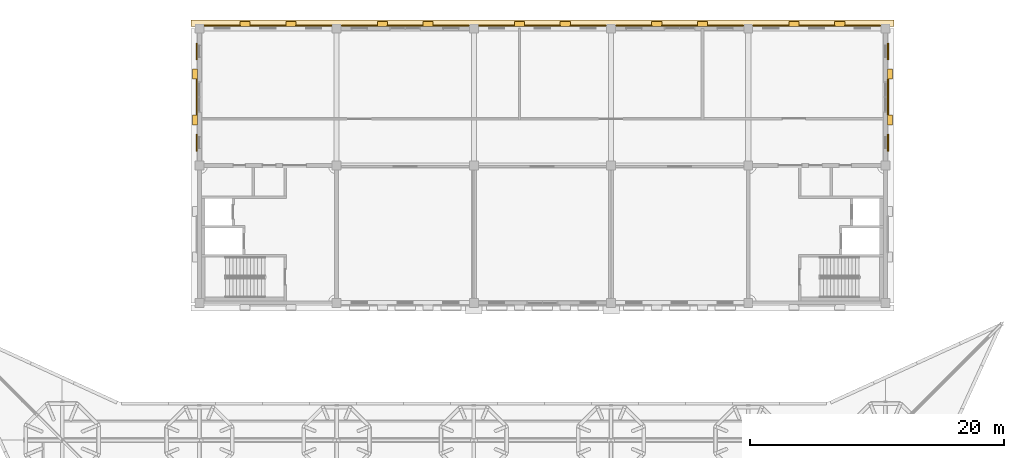
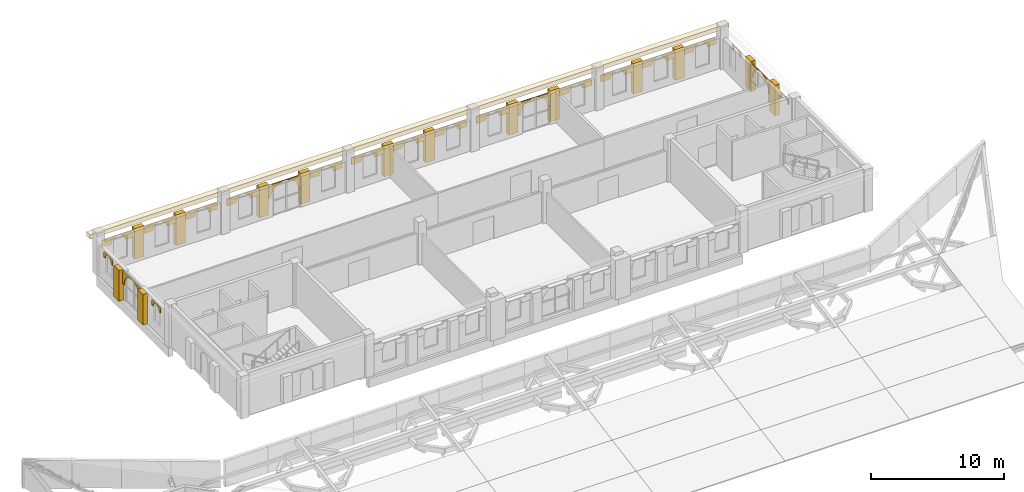
# One storey, part 32 of 32: 36 coverings.
"""IFC4 building model written with IfcOpenShell, lengths in metres."""

from ifc_helpers import new_model, si_unit, direction, frame, origin, origin_2d, place, context, subcontext, project, spatial, polyline, rectangle, outline, extrude, material, layer, layer_set, type_object, element, save


model = new_model("IFC4")

# Units and contexts
model_context = context("Model", 3, precision=1e-05, world=origin(), true_north=direction((0.0, 1.0)))
body_context = subcontext(model_context, "Body", "Model", "MODEL_VIEW")
ifc_project = project(units=[si_unit("LENGTHUNIT", "METRE"), si_unit("AREAUNIT", "SQUARE_METRE"), si_unit("VOLUMEUNIT", "CUBIC_METRE"), si_unit("PLANEANGLEUNIT", "RADIAN"), si_unit("MASSUNIT", "GRAM", prefix="KILO")], contexts=[model_context])

# Site, building, storey
site_placement = place(None, origin())
site = spatial("IfcSite", under=ifc_project, at=site_placement, CompositionType="ELEMENT")
building_placement = place(site_placement, origin())
building = spatial("IfcBuilding", under=site, at=building_placement, Name="Magnolia Steps Interchange", CompositionType="ELEMENT")
storey_placement = place(building_placement, frame((0.0, 0.0, 16.5)))
storey = spatial("IfcBuildingStorey", under=building, at=storey_placement, Name="L04", CompositionType="ELEMENT", Elevation=16.5)

# Coverings
ifc_material_1 = material(Name="Lime render")
ifc_layer_1 = layer(ifc_material_1, 0.080078125)
ifc_layer_set_1 = layer_set([ifc_layer_1], Name="Lime render arch infill")
covering_type_1 = type_object("IfcCoveringType", Name="Lime render arch infill", PredefinedType="CLADDING", material=ifc_layer_set_1)
covering_1_placement = place(storey_placement, frame((118.16259765625, 111.199951171875, 1.47998046875), z_axis=(-1.0, 0.0, 0.0), x_axis=(0.0, 0.0, 1.0)))
element("IfcCovering", 1, at=covering_1_placement, inside=storey, type_object=covering_type_1, Name="Arched head over opening g2", PredefinedType="CLADDING", context=body_context, shape_type="SweptSolid", body=[
    extrude(outline(polyline([(0.0, 0.0), (1.219970703, 0.0), (1.219970703, 2.800048828), (0.0, 2.800048828), (0.0, 2.600097656), (0.267089844, 2.570068359), (0.520751953, 2.481201172), (0.748291016, 2.338134766), (0.938232422, 2.148193359), (1.081298828, 1.920654297), (1.169921875, 1.666992188), (1.199951172, 1.400146484), (1.169921875, 1.133056641), (1.081298828, 0.879394531), (0.938232422, 0.651855469), (0.748291016, 0.461914062), (0.520751953, 0.318847656), (0.267089844, 0.230224609), (0.0, 0.199951172), (0.0, 0.0)])), origin(), (0.0, 0.0, -1.0), 0.080078125),
])
covering_2_placement = place(storey_placement, frame((118.16259765625, 108.35009765625, 2.22998046875), z_axis=(-1.0, 0.0, 0.0), x_axis=(0.0, 0.0, 1.0)))
element("IfcCovering", 2, at=covering_2_placement, inside=storey, type_object=covering_type_1, Name="Arched head over opening W00180", PredefinedType="CLADDING", context=body_context, shape_type="SweptSolid", body=[
    extrude(outline(polyline([(0.0, 0.0), (0.469970703, 0.0), (0.469970703, 1.299804688), (0.0, 1.299804688), (0.0, 1.099853516), (0.100097656, 1.088623047), (0.1953125, 1.055419922), (0.280517578, 1.001708984), (0.351806641, 0.930419922), (0.405517578, 0.845214844), (0.438720703, 0.75), (0.449951172, 0.649902344), (0.438720703, 0.549804688), (0.405517578, 0.454589844), (0.351806641, 0.369384766), (0.280517578, 0.298095703), (0.1953125, 0.244384766), (0.100097656, 0.211181641), (0.0, 0.199951172), (0.0, 0.0)])), origin(), (0.0, 0.0, -1.0), 0.080078125),
])
covering_3_placement = place(storey_placement, frame((118.16259765625, 115.550048828125, 2.22998046875), z_axis=(-1.0, 0.0, 0.0), x_axis=(0.0, 0.0, 1.0)))
element("IfcCovering", 3, at=covering_3_placement, inside=storey, type_object=covering_type_1, Name="Arched head over opening W00240", PredefinedType="CLADDING", context=body_context, shape_type="SweptSolid", body=[
    extrude(outline(polyline([(0.0, 0.0), (0.469970703, 0.0), (0.469970703, 1.300048828), (0.0, 1.300048828), (0.0, 1.099853516), (0.100097656, 1.088623047), (0.1953125, 1.055419922), (0.280517578, 1.001708984), (0.351806641, 0.930664062), (0.405517578, 0.845214844), (0.438720703, 0.75), (0.449951172, 0.649902344), (0.438720703, 0.549804688), (0.405517578, 0.454833984), (0.351806641, 0.369384766), (0.280517578, 0.298095703), (0.1953125, 0.244628906), (0.100097656, 0.211181641), (0.0, 0.199951172), (0.0, 0.0)])), origin(), (0.0, 0.0, -1.0), 0.080078125),
])
covering_4_placement = place(storey_placement, frame((79.0, 118.16259765625, 1.47998046875), z_axis=(0.0, -1.0, 0.0), x_axis=(0.111727497739, 0.0, 0.993738882327)))
element("IfcCovering", 4, at=covering_4_placement, inside=storey, type_object=covering_type_1, Name="Arched head over opening g2", PredefinedType="CLADDING", context=body_context, shape_type="SweptSolid", body=[
    extrude(outline(polyline([(0.0, 0.0), (0.268772661, 0.0), (0.530775471, -0.059969747), (0.772847059, -0.176475415), (0.982848175, -0.34424851), (1.150413918, -0.55413586), (1.266850396, -0.796550742), (1.326505678, -1.058370595), (1.326505678, -1.327143256), (1.266778543, -1.589118788), (1.150030263, -1.831217653), (0.98249978, -2.041191492), (0.772369818, -2.208784513), (0.530197548, -2.325193713), (0.268135084, -2.384876273), (0.290502405, -2.583818139), (1.502834728, -2.447513865), (1.189992279, 0.335003528), (-0.022340044, 0.198699254), (0.0, 0.0)])), origin(), (0.0, 0.0, -1.0), 0.080078125),
])
covering_5_placement = place(storey_placement, frame((100.60009765625, 118.16259765625, 1.47998046875), z_axis=(0.0, -1.0, 0.0), x_axis=(0.111727497739, 0.0, 0.993738882327)))
element("IfcCovering", 5, at=covering_5_placement, inside=storey, type_object=covering_type_1, Name="Arched head over opening g4", PredefinedType="CLADDING", context=body_context, shape_type="SweptSolid", body=[
    extrude(outline(polyline([(0.0, 0.0), (0.268772661, 0.0), (0.530748193, -0.059727135), (0.772847059, -0.176475415), (0.982820897, -0.344005898), (1.150413918, -0.55413586), (1.266823118, -0.79630813), (1.326505678, -1.058370595), (1.326478401, -1.326900644), (1.266778543, -1.589118788), (1.150002986, -1.830975041), (0.98249978, -2.041191492), (0.772342541, -2.208541901), (0.530197548, -2.325193713), (0.268135084, -2.384876273), (0.290475128, -2.583575527), (1.502807451, -2.447271253), (1.189965002, 0.33524614), (-0.022367321, 0.198941866), (0.0, 0.0)])), origin(), (0.0, 0.0, -1.0), 0.080078125),
])
covering_6_placement = place(storey_placement, frame((65.199951171875, 118.16259765625, 2.080078125), z_axis=(0.0, -1.0, 0.0), x_axis=(0.112828023715, 0.0, 0.993614531428)))
element("IfcCovering", 6, at=covering_6_placement, inside=storey, type_object=covering_type_1, Name="Arched head over opening W00180", PredefinedType="CLADDING", context=body_context, shape_type="SweptSolid", body=[
    extrude(outline(polyline([(0.0, 0.0), (0.134157439, 0.0), (0.265313264, -0.029825994), (0.386399727, -0.087823451), (0.491479355, -0.171472365), (0.575419722, -0.276687056), (0.633865911, -0.39757359), (0.663731002, -0.528585465), (0.66400113, -0.66295794), (0.63414759, -0.793871183), (0.575907551, -0.914985192), (0.492258637, -1.02006482), (0.387286528, -1.103977641), (0.266157412, -1.162451376), (0.135388119, -1.192288921), (0.225656047, -1.987229063), (0.841570914, -1.917290012), (0.525646939, 0.864879192), (-0.090267928, 0.794940141), (0.0, 0.0)])), origin(), (0.0, 0.0, -1.0), 0.080078125),
])
covering_7_placement = place(storey_placement, frame((68.800048828125, 118.16259765625, 2.080078125), z_axis=(0.0, -1.0, 0.0), x_axis=(0.111030832763, 0.0, 0.993816962109)))
element("IfcCovering", 7, at=covering_7_placement, inside=storey, type_object=covering_type_1, Name="Arched head over opening W00540", PredefinedType="CLADDING", context=body_context, shape_type="SweptSolid", body=[
    extrude(outline(polyline([(0.0, 0.0), (0.134130113, 0.0), (0.265231781, -0.030063148), (0.386240262, -0.088522133), (0.491168434, -0.172360952), (0.57489127, -0.277484651), (0.63314584, -0.398719321), (0.662746834, -0.529542363), (0.662773941, -0.663915107), (0.632710793, -0.795016775), (0.574251808, -0.916025256), (0.490412989, -1.020953428), (0.38528929, -1.104676264), (0.26405462, -1.162930835), (0.133231578, -1.192531828), (0.222061666, -1.987633924), (0.838102014, -1.918808904), (0.527210261, 0.863927117), (-0.088830088, 0.795102096), (0.0, 0.0)])), origin(), (0.0, 0.0, -1.0), 0.080078125),
])
covering_8_placement = place(storey_placement, frame((72.39990234375, 118.16259765625, 2.080078125), z_axis=(0.0, -1.0, 0.0), x_axis=(0.112828023715, 0.0, 0.993614531428)))
element("IfcCovering", 8, at=covering_8_placement, inside=storey, type_object=covering_type_1, Name="Arched head over opening W00900", PredefinedType="CLADDING", context=body_context, shape_type="SweptSolid", body=[
    extrude(outline(polyline([(0.0, 0.0), (0.134157439, 0.0), (0.265313264, -0.029825994), (0.386427273, -0.088066033), (0.491506901, -0.171714947), (0.575419722, -0.276687056), (0.633865911, -0.39757359), (0.663731002, -0.528585465), (0.66400113, -0.66295794), (0.63414759, -0.793871183), (0.575907551, -0.914985192), (0.492258637, -1.02006482), (0.387286528, -1.103977641), (0.266157412, -1.162451376), (0.135415665, -1.192531503), (0.225656047, -1.987229063), (0.841570914, -1.917290012), (0.525674485, 0.864636611), (-0.090240382, 0.79469756), (0.0, 0.0)])), origin(), (0.0, 0.0, -1.0), 0.080078125),
])
covering_9_placement = place(storey_placement, frame((76.0, 118.16259765625, 2.080078125), z_axis=(0.0, -1.0, 0.0), x_axis=(0.111030832763, 0.0, 0.993816962109)))
element("IfcCovering", 9, at=covering_9_placement, inside=storey, type_object=covering_type_1, Name="Arched head over opening W01260", PredefinedType="CLADDING", context=body_context, shape_type="SweptSolid", body=[
    extrude(outline(polyline([(0.0, 0.0), (0.134130113, 0.0), (0.265231781, -0.030063148), (0.386240262, -0.088522133), (0.491168434, -0.172360952), (0.57489127, -0.277484651), (0.63314584, -0.398719321), (0.662773941, -0.529784994), (0.662773941, -0.663915107), (0.632710793, -0.795016775), (0.574251808, -0.916025256), (0.490412989, -1.020953428), (0.38528929, -1.104676264), (0.26405462, -1.162930835), (0.133231578, -1.192531828), (0.222061666, -1.987633924), (0.838102014, -1.918808904), (0.527210261, 0.863927117), (-0.088830088, 0.795102096), (0.0, 0.0)])), origin(), (0.0, 0.0, -1.0), 0.080078125),
])
covering_10_placement = place(storey_placement, frame((83.199951171875, 118.16259765625, 2.080078125), z_axis=(0.0, -1.0, 0.0), x_axis=(0.112828023715, 0.0, 0.993614531428)))
element("IfcCovering", 10, at=covering_10_placement, inside=storey, type_object=covering_type_1, Name="Arched head over opening W00240", PredefinedType="CLADDING", context=body_context, shape_type="SweptSolid", body=[
    extrude(outline(polyline([(0.0, 0.0), (0.134157439, 0.0), (0.265313264, -0.029825994), (0.386399727, -0.087823451), (0.491479355, -0.171472365), (0.575419722, -0.276687056), (0.633865911, -0.39757359), (0.663731002, -0.528585465), (0.66400113, -0.66295794), (0.63414759, -0.793871183), (0.575907551, -0.914985192), (0.492258637, -1.02006482), (0.387286528, -1.103977641), (0.266157412, -1.162451376), (0.135388119, -1.192288921), (0.225656047, -1.987229063), (0.841570914, -1.917290012), (0.525646939, 0.864879192), (-0.090267928, 0.794940141), (0.0, 0.0)])), origin(), (0.0, 0.0, -1.0), 0.080078125),
])
covering_11_placement = place(storey_placement, frame((86.800048828125, 118.16259765625, 2.080078125), z_axis=(0.0, -1.0, 0.0), x_axis=(0.111030832763, 0.0, 0.993816962109)))
element("IfcCovering", 11, at=covering_11_placement, inside=storey, type_object=covering_type_1, Name="Arched head over opening W00600", PredefinedType="CLADDING", context=body_context, shape_type="SweptSolid", body=[
    extrude(outline(polyline([(0.0, 0.0), (0.134130113, 0.0), (0.265231781, -0.030063148), (0.386240262, -0.088522133), (0.491168434, -0.172360952), (0.57489127, -0.277484651), (0.63314584, -0.398719321), (0.662746834, -0.529542363), (0.662773941, -0.663915107), (0.632710793, -0.795016775), (0.574251808, -0.916025256), (0.490412989, -1.020953428), (0.38528929, -1.104676264), (0.26405462, -1.162930835), (0.133231578, -1.192531828), (0.222061666, -1.987633924), (0.838102014, -1.918808904), (0.527210261, 0.863927117), (-0.088830088, 0.795102096), (0.0, 0.0)])), origin(), (0.0, 0.0, -1.0), 0.080078125),
])
covering_12_placement = place(storey_placement, frame((90.39990234375, 118.16259765625, 2.080078125), z_axis=(0.0, -1.0, 0.0), x_axis=(0.112828023715, 0.0, 0.993614531428)))
element("IfcCovering", 12, at=covering_12_placement, inside=storey, type_object=covering_type_1, Name="Arched head over opening W00960", PredefinedType="CLADDING", context=body_context, shape_type="SweptSolid", body=[
    extrude(outline(polyline([(0.0, 0.0), (0.134157439, 0.0), (0.265313264, -0.029825994), (0.386427273, -0.088066033), (0.491506901, -0.171714947), (0.575419722, -0.276687056), (0.633865911, -0.39757359), (0.663731002, -0.528585465), (0.66400113, -0.66295794), (0.63414759, -0.793871183), (0.575907551, -0.914985192), (0.492258637, -1.02006482), (0.387286528, -1.103977641), (0.266157412, -1.162451376), (0.135415665, -1.192531503), (0.225656047, -1.987229063), (0.841570914, -1.917290012), (0.525674485, 0.864636611), (-0.090240382, 0.79469756), (0.0, 0.0)])), origin(), (0.0, 0.0, -1.0), 0.080078125),
])
covering_13_placement = place(storey_placement, frame((94.0, 118.16259765625, 2.080078125), z_axis=(0.0, -1.0, 0.0), x_axis=(0.111030832763, 0.0, 0.993816962109)))
element("IfcCovering", 13, at=covering_13_placement, inside=storey, type_object=covering_type_1, Name="Arched head over opening W01320", PredefinedType="CLADDING", context=body_context, shape_type="SweptSolid", body=[
    extrude(outline(polyline([(0.0, 0.0), (0.134130113, 0.0), (0.265231781, -0.030063148), (0.386240262, -0.088522133), (0.491168434, -0.172360952), (0.57489127, -0.277484651), (0.63314584, -0.398719321), (0.662773941, -0.529784994), (0.662773941, -0.663915107), (0.632710793, -0.795016775), (0.574251808, -0.916025256), (0.490412989, -1.020953428), (0.38528929, -1.104676264), (0.26405462, -1.162930835), (0.133231578, -1.192531828), (0.222061666, -1.987633924), (0.838102014, -1.918808904), (0.527210261, 0.863927117), (-0.088830088, 0.795102096), (0.0, 0.0)])), origin(), (0.0, 0.0, -1.0), 0.080078125),
])
covering_14_placement = place(storey_placement, frame((97.60009765625, 118.16259765625, 2.080078125), z_axis=(0.0, -1.0, 0.0), x_axis=(0.111030832763, 0.0, 0.993816962109)))
element("IfcCovering", 14, at=covering_14_placement, inside=storey, type_object=covering_type_1, Name="Arched head over opening W01680", PredefinedType="CLADDING", context=body_context, shape_type="SweptSolid", body=[
    extrude(outline(polyline([(0.0, 0.0), (0.134130113, 0.0), (0.265231781, -0.030063148), (0.386240262, -0.088522133), (0.491168434, -0.172360952), (0.57489127, -0.277484651), (0.633118733, -0.39847669), (0.662746834, -0.529542363), (0.662773941, -0.663915107), (0.632683686, -0.794774144), (0.574251808, -0.916025256), (0.490412989, -1.020953428), (0.385262183, -1.104433633), (0.264027513, -1.162688204), (0.133231578, -1.192531828), (0.222061666, -1.987633924), (0.838102014, -1.918808904), (0.527210261, 0.863927117), (-0.088830088, 0.795102096), (0.0, 0.0)])), origin(), (0.0, 0.0, -1.0), 0.080078125),
])
covering_15_placement = place(storey_placement, frame((104.800048828125, 118.16259765625, 2.080078125), z_axis=(0.0, -1.0, 0.0), x_axis=(0.111030832763, 0.0, 0.993816962109)))
element("IfcCovering", 15, at=covering_15_placement, inside=storey, type_object=covering_type_1, Name="Arched head over opening W00240", PredefinedType="CLADDING", context=body_context, shape_type="SweptSolid", body=[
    extrude(outline(polyline([(0.0, 0.0), (0.134130113, 0.0), (0.265231781, -0.030063148), (0.386240262, -0.088522133), (0.491168434, -0.172360952), (0.57489127, -0.277484651), (0.63314584, -0.398719321), (0.662746834, -0.529542363), (0.662773941, -0.663915107), (0.632710793, -0.795016775), (0.574251808, -0.916025256), (0.490412989, -1.020953428), (0.38528929, -1.104676264), (0.26405462, -1.162930835), (0.133231578, -1.192531828), (0.222061666, -1.987633924), (0.838102014, -1.918808904), (0.527210261, 0.863927117), (-0.088830088, 0.795102096), (0.0, 0.0)])), origin(), (0.0, 0.0, -1.0), 0.080078125),
])
covering_16_placement = place(storey_placement, frame((108.39990234375, 118.16259765625, 2.080078125), z_axis=(0.0, -1.0, 0.0), x_axis=(0.112828023715, 0.0, 0.993614531428)))
element("IfcCovering", 16, at=covering_16_placement, inside=storey, type_object=covering_type_1, Name="Arched head over opening W00600", PredefinedType="CLADDING", context=body_context, shape_type="SweptSolid", body=[
    extrude(outline(polyline([(0.0, 0.0), (0.134157439, 0.0), (0.265313264, -0.029825994), (0.386427273, -0.088066033), (0.491506901, -0.171714947), (0.575419722, -0.276687056), (0.633865911, -0.39757359), (0.663731002, -0.528585465), (0.66400113, -0.66295794), (0.63414759, -0.793871183), (0.575907551, -0.914985192), (0.492258637, -1.02006482), (0.387286528, -1.103977641), (0.266157412, -1.162451376), (0.135415665, -1.192531503), (0.225656047, -1.987229063), (0.841570914, -1.917290012), (0.525674485, 0.864636611), (-0.090240382, 0.79469756), (0.0, 0.0)])), origin(), (0.0, 0.0, -1.0), 0.080078125),
])
covering_17_placement = place(storey_placement, frame((112.0, 118.16259765625, 2.080078125), z_axis=(0.0, -1.0, 0.0), x_axis=(0.111030832763, 0.0, 0.993816962109)))
element("IfcCovering", 17, at=covering_17_placement, inside=storey, type_object=covering_type_1, Name="Arched head over opening W00960", PredefinedType="CLADDING", context=body_context, shape_type="SweptSolid", body=[
    extrude(outline(polyline([(0.0, 0.0), (0.134130113, 0.0), (0.265231781, -0.030063148), (0.386240262, -0.088522133), (0.491168434, -0.172360952), (0.57489127, -0.277484651), (0.63314584, -0.398719321), (0.662773941, -0.529784994), (0.662773941, -0.663915107), (0.632710793, -0.795016775), (0.574251808, -0.916025256), (0.490412989, -1.020953428), (0.38528929, -1.104676264), (0.26405462, -1.162930835), (0.133231578, -1.192531828), (0.222061666, -1.987633924), (0.838102014, -1.918808904), (0.527210261, 0.863927117), (-0.088830088, 0.795102096), (0.0, 0.0)])), origin(), (0.0, 0.0, -1.0), 0.080078125),
])
covering_18_placement = place(storey_placement, frame((115.60009765625, 118.16259765625, 2.080078125), z_axis=(0.0, -1.0, 0.0), x_axis=(0.111030832763, 0.0, 0.993816962109)))
element("IfcCovering", 18, at=covering_18_placement, inside=storey, type_object=covering_type_1, Name="Arched head over opening W01320", PredefinedType="CLADDING", context=body_context, shape_type="SweptSolid", body=[
    extrude(outline(polyline([(0.0, 0.0), (0.134130113, 0.0), (0.265231781, -0.030063148), (0.386240262, -0.088522133), (0.491168434, -0.172360952), (0.57489127, -0.277484651), (0.633118733, -0.39847669), (0.662746834, -0.529542363), (0.662773941, -0.663915107), (0.632683686, -0.794774144), (0.574251808, -0.916025256), (0.490412989, -1.020953428), (0.385262183, -1.104433633), (0.264027513, -1.162688204), (0.133231578, -1.192531828), (0.222061666, -1.987633924), (0.838102014, -1.918808904), (0.527210261, 0.863927117), (-0.088830088, 0.795102096), (0.0, 0.0)])), origin(), (0.0, 0.0, -1.0), 0.080078125),
])
covering_19_placement = place(storey_placement, frame((63.83740234375, 111.39990234375, 1.47998046875), z_axis=(1.0, 0.0, 0.0), x_axis=(0.0, 0.112624375469, 0.993637635182)))
element("IfcCovering", 19, at=covering_19_placement, inside=storey, type_object=covering_type_1, Name="Arched head over opening g2", PredefinedType="CLADDING", context=body_context, shape_type="SweptSolid", body=[
    extrude(outline(polyline([(0.0, 0.0), (0.268800048, 0.0), (0.530829382, -0.059490658), (0.773033522, -0.176020379), (0.983158484, -0.343361276), (1.150941095, -0.553339888), (1.267568826, -0.795406991), (1.327487892, -1.057415481), (1.327702983, -1.325945445), (1.268212325, -1.587974779), (1.151682605, -1.830178919), (0.984341707, -2.040303881), (0.774363096, -2.208086492), (0.532323489, -2.32495681), (0.270314999, -2.384875877), (0.292834375, -2.583554886), (1.505043179, -2.446156448), (1.189689429, 0.336077448), (-0.022519376, 0.19867901), (0.0, 0.0)])), origin(), (0.0, 0.0, -1.0), 0.080078125),
])
covering_20_placement = place(storey_placement, frame((63.83740234375, 108.550048828125, 2.22998046875), z_axis=(1.0, 0.0, 0.0), x_axis=(0.0, 0.111495577518, 0.993764930048)))
element("IfcCovering", 20, at=covering_20_placement, inside=storey, type_object=covering_type_1, Name="Arched head over opening W00180", PredefinedType="CLADDING", context=body_context, shape_type="SweptSolid", body=[
    extrude(outline(polyline([(0.0, 0.0), (0.100725688, 0.0), (0.199048862, -0.022380067), (0.289711213, -0.066256124), (0.368504198, -0.129152279), (0.431380233, -0.207837565), (0.474992369, -0.298756736), (0.497313261, -0.396978129), (0.497313261, -0.497703817), (0.474933193, -0.596026991), (0.431057137, -0.686689342), (0.368160982, -0.765482327), (0.289475695, -0.828358363), (0.198556524, -0.871970498), (0.100335132, -0.89429139), (0.122628803, -1.092995852), (0.589669206, -1.040596197), (0.444746732, 0.251104117), (-0.022293671, 0.198704462), (0.0, 0.0)])), origin(), (0.0, 0.0, -1.0), 0.080078125),
])
covering_21_placement = place(storey_placement, frame((63.83740234375, 115.75, 2.22998046875), z_axis=(1.0, 0.0, 0.0), x_axis=(0.0, 0.111495577518, 0.993764930048)))
element("IfcCovering", 21, at=covering_21_placement, inside=storey, type_object=covering_type_1, Name="Arched head over opening W00240", PredefinedType="CLADDING", context=body_context, shape_type="SweptSolid", body=[
    extrude(outline(polyline([(0.0, 0.0), (0.100725688, 0.0), (0.199076083, -0.022622686), (0.289711213, -0.066256124), (0.368504198, -0.129152279), (0.431407454, -0.208080184), (0.474992369, -0.298756736), (0.497313261, -0.396978129), (0.497313261, -0.497703817), (0.474933193, -0.596026991), (0.431084357, -0.68693196), (0.368160982, -0.765482327), (0.289475695, -0.828358363), (0.198556524, -0.871970498), (0.100335132, -0.89429139), (0.122656024, -1.09323847), (0.589696426, -1.040838815), (0.444746732, 0.251104117), (-0.022293671, 0.198704462), (0.0, 0.0)])), origin(), (0.0, 0.0, -1.0), 0.080078125),
])
ifc_material_2 = material(Name="Lime render")
ifc_layer_2 = layer(ifc_material_2, 0.1201171875)
ifc_layer_set_2 = layer_set([ifc_layer_2], Name="Lime render band")
covering_type_2 = type_object("IfcCoveringType", Name="Lime render band", PredefinedType="CLADDING", material=ifc_layer_set_2)
covering_22_placement = place(storey_placement, frame((91.0, 118.41259765625, 3.199951171875), z_axis=(0.0, 0.0, 1.0), x_axis=(1.0, 0.0, 0.0)))
element("IfcCovering", 22, at=covering_22_placement, inside=storey, type_object=covering_type_2, Name="String course L04 N", PredefinedType="CLADDING", context=body_context, shape_type="SweptSolid", body=[
    extrude(rectangle(XDim=55.324951171875, YDim=0.5, at=origin_2d()), origin(), (0.0, 0.0, 1.0), 0.39990234375),
])
ifc_material_3 = material(Name="Lime render")
ifc_layer_3 = layer(ifc_material_3, 0.39990234375)
ifc_layer_set_3 = layer_set([ifc_layer_3], Name="Lime render pilaster")
covering_type_3 = type_object("IfcCoveringType", Name="Lime render pilaster", PredefinedType="CLADDING", material=ifc_layer_set_3)
for number, where, z_axis, x_axis, name in (
    (23, (67.60009765625, 118.362548828125, 0.0), (0.0, 0.0, 1.0), (1.0, 0.0, 0.0), "Pilaster L04 N 1"),
    (24, (71.199951171875, 118.362548828125, 0.0), (0.0, 0.0, 1.0), (1.0, 0.0, 0.0), "Pilaster L04 N 2"),
    (25, (78.39990234375, 118.362548828125, 0.0), (0.0, 0.0, 1.0), (1.0, 0.0, 0.0), "Pilaster L04 N 3"),
    (26, (82.0, 118.362548828125, 0.0), (0.0, 0.0, 1.0), (1.0, 0.0, 0.0), "Pilaster L04 N 4"),
    (27, (89.199951171875, 118.362548828125, 0.0), (0.0, 0.0, 1.0), (1.0, 0.0, 0.0), "Pilaster L04 N 5"),
    (28, (92.800048828125, 118.362548828125, 0.0), (0.0, 0.0, 1.0), (1.0, 0.0, 0.0), "Pilaster L04 N 6"),
    (29, (100.0, 118.362548828125, 0.0), (0.0, 0.0, 1.0), (1.0, 0.0, 0.0), "Pilaster L04 N 7"),
    (30, (103.60009765625, 118.362548828125, 0.0), (0.0, 0.0, 1.0), (1.0, 0.0, 0.0), "Pilaster L04 N 8"),
    (31, (110.800048828125, 118.362548828125, 0.0), (0.0, 0.0, 1.0), (1.0, 0.0, 0.0), "Pilaster L04 N 9"),
    (32, (114.39990234375, 118.362548828125, 0.0), (0.0, 0.0, 1.0), (1.0, 0.0, 0.0), "Pilaster L04 N 10"),
):
    element("IfcCovering", number, at=place(storey_placement, frame(where, z_axis=z_axis, x_axis=x_axis)), inside=storey, type_object=covering_type_3, Name=name, PredefinedType="CLADDING", context=body_context, shape_type="SweptSolid", body=[
        extrude(rectangle(XDim=0.800048828125, YDim=0.39990234375, at=origin_2d()), origin(), (0.0, 0.0, 1.0), 2.800048828125),
    ])
for number, where, z_axis, x_axis, name in (
    (33, (63.637451171875, 110.800048828125, 0.0), (0.0, 0.0, 1.0), (1.0, 0.0, 0.0), "Pilaster L04 W 1"),
    (34, (63.637451171875, 114.39990234375, 0.0), (0.0, 0.0, 1.0), (1.0, 0.0, 0.0), "Pilaster L04 W 2"),
    (35, (118.362548828125, 110.800048828125, 0.0), (0.0, 0.0, 1.0), (1.0, 0.0, 0.0), "Pilaster L04 E 1"),
    (36, (118.362548828125, 114.39990234375, 0.0), (0.0, 0.0, 1.0), (1.0, 0.0, 0.0), "Pilaster L04 E 2"),
):
    element("IfcCovering", number, at=place(storey_placement, frame(where, z_axis=z_axis, x_axis=x_axis)), inside=storey, type_object=covering_type_3, Name=name, PredefinedType="CLADDING", context=body_context, shape_type="SweptSolid", body=[
        extrude(rectangle(XDim=0.39990234375, YDim=0.800048828125, at=origin_2d()), origin(), (0.0, 0.0, 1.0), 2.800048828125),
    ])

save(model, "model.ifc")
